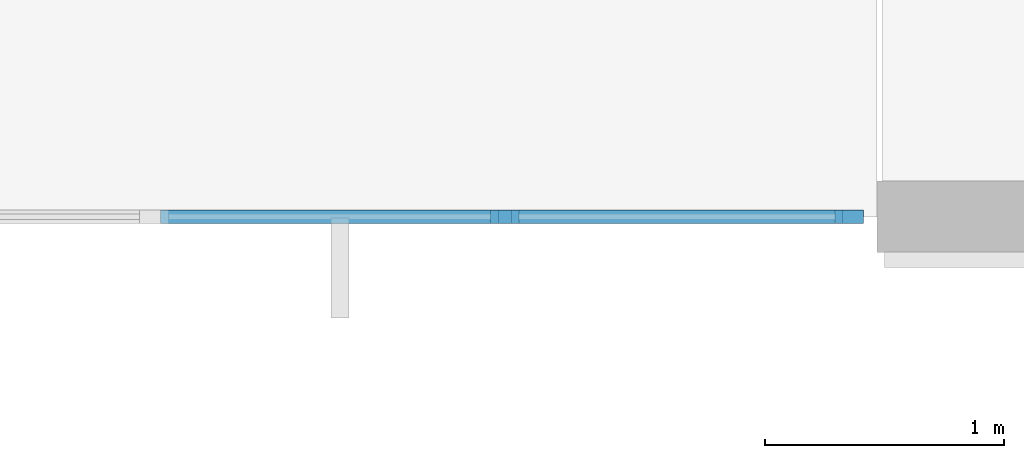
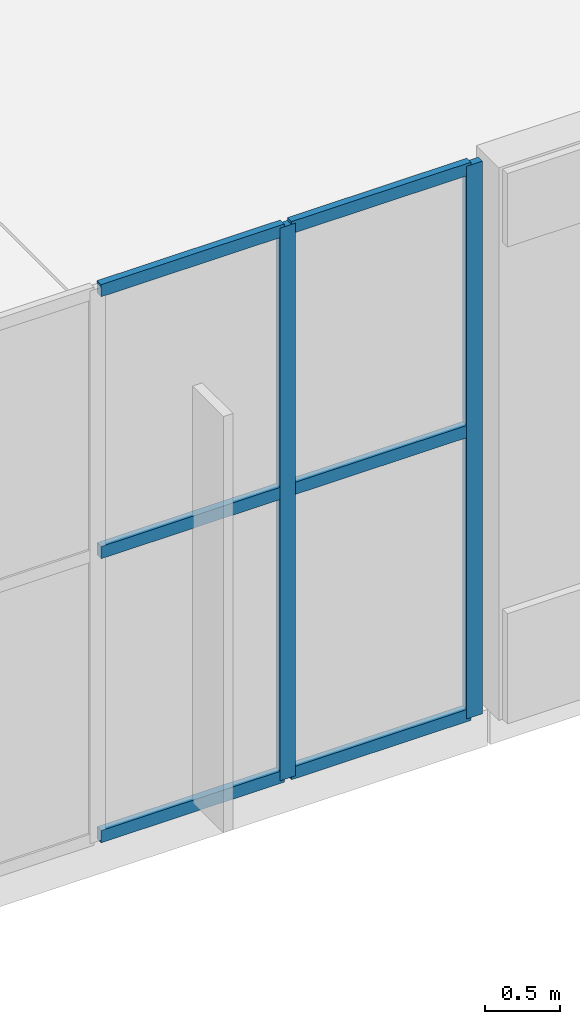
# One storey, part 30 of 96: 8 members, 1 element without a shape of its own.
"""IFC4 building model written with IfcOpenShell, lengths in metres."""

from ifc_helpers import new_model, si_unit, direction, frame, origin, origin_2d, place, context, subcontext, project, spatial, rectangle, extrude, material, layer, layer_set, material_profile, profile_set, type_object, element, aggregate, save


model = new_model("IFC4")

# Units and contexts
model_context = context("Model", 3, precision=1e-05, world=origin(), true_north=direction((0.0, 1.0)))
body_context = subcontext(model_context, "Body", "Model", "MODEL_VIEW")
ifc_project = project(units=[si_unit("LENGTHUNIT", "METRE"), si_unit("AREAUNIT", "SQUARE_METRE"), si_unit("VOLUMEUNIT", "CUBIC_METRE"), si_unit("PLANEANGLEUNIT", "RADIAN"), si_unit("MASSUNIT", "GRAM", prefix="KILO")], contexts=[model_context])

# Site, building, storey
site_placement = place(None, origin())
site = spatial("IfcSite", under=ifc_project, at=site_placement, CompositionType="ELEMENT")
building_placement = place(site_placement, origin())
building = spatial("IfcBuilding", under=site, at=building_placement, Name="Cendralis Terraced Arcade", CompositionType="ELEMENT")
storey_placement = place(building_placement, frame((0.0, 0.0, 10.199951171875)))
storey = spatial("IfcBuildingStorey", under=building, at=storey_placement, Name="L02", CompositionType="ELEMENT", Elevation=10.199951171875)

# Curtain wall, members
ifc_material = material(Name="Anodised aluminium EN AW-6063 T6", Category="aluminium")
ifc_layer = layer(ifc_material, 0.1201171875, Name="CW-STORE-B")
ifc_layer_set = layer_set([ifc_layer], Name="Anodised aluminium EN AW-6063 T6")
curtain_wall_type = type_object("IfcCurtainWallType", Name="CW-STORE-B", PredefinedType="USERDEFINED", material=ifc_layer_set)
curtain_wall_placement = place(storey_placement, origin())
curtain_wall = element("IfcCurtainWall", 1, at=curtain_wall_placement, inside=storey, type_object=curtain_wall_type, Name="Exterior Storefront Glazing CW-L02-0115", ObjectType="STOREFRONT GLAZING", PredefinedType="USERDEFINED")
ifc_material_profile_1 = material_profile(ifc_material, rectangle(XDim=0.054931640625, YDim=0.1201171875, at=origin_2d()), Name="ALU-MUL-55x120")
ifc_profile_set_1 = profile_set([ifc_material_profile_1], Name="Anodised aluminium EN AW-6063 T6")
member_type_1 = type_object("IfcMemberType", Name="CW-STORE-B-MUL", PredefinedType="MULLION", material=ifc_profile_set_1)
member_1_placement = place(storey_placement, frame((94.08251953125, 88.800048828125, 0.0), z_axis=(0.0, 0.0, 1.0), x_axis=(0.0, -1.0, 0.0)))
member_1 = element("IfcMember", 2, at=member_1_placement, type_object=member_type_1, Name="CW-S2 mullion 1", PredefinedType="MULLION", context=body_context, shape_type="SweptSolid", body=[
    extrude(rectangle(XDim=0.054931640625, YDim=0.1201171875, at=origin_2d()), origin(), (0.0, 0.0, 1.0), 4.51513671875),
])
member_2_placement = place(storey_placement, frame((92.639892578125, 88.800048828125, 0.0), z_axis=(0.0, 0.0, 1.0), x_axis=(0.0, -1.0, 0.0)))
member_2 = element("IfcMember", 3, at=member_2_placement, type_object=member_type_1, Name="CW-S2 mullion 2", PredefinedType="MULLION", context=body_context, shape_type="SweptSolid", body=[
    extrude(rectangle(XDim=0.054931640625, YDim=0.1201171875, at=origin_2d()), origin(), (0.0, 0.0, 1.0), 4.51513671875),
])
ifc_material_profile_2 = material_profile(ifc_material, rectangle(XDim=0.054931640625, YDim=0.10009765625, at=origin_2d()), Name="ALU-TRN-55x100")
ifc_profile_set_2 = profile_set([ifc_material_profile_2], Name="Anodised aluminium EN AW-6063 T6")
member_type_2 = type_object("IfcMemberType", Name="CW-STORE-B-TRN", PredefinedType="USERDEFINED", material=ifc_profile_set_2)
member_3_placement = place(storey_placement, frame((94.054931640625, 88.800048828125, 0.027587890625), z_axis=(-1.0, 0.0, 0.0), x_axis=(0.0, -1.0, 0.0)))
member_3 = element("IfcMember", 4, at=member_3_placement, type_object=member_type_2, Name="CW-S2 transom 1.1", ObjectType="TRANSOM", PredefinedType="USERDEFINED", context=body_context, shape_type="SweptSolid", body=[
    extrude(rectangle(XDim=0.054931640625, YDim=0.10009765625, at=origin_2d()), origin(), (0.0, 0.0, 1.0), 1.387451171875),
])
member_4_placement = place(storey_placement, frame((94.054931640625, 88.800048828125, 2.347900390625), z_axis=(-1.0, 0.0, 0.0), x_axis=(0.0, -1.0, 0.0)))
member_4 = element("IfcMember", 5, at=member_4_placement, type_object=member_type_2, Name="CW-S2 transom 1.2", ObjectType="TRANSOM", PredefinedType="USERDEFINED", context=body_context, shape_type="SweptSolid", body=[
    extrude(rectangle(XDim=0.054931640625, YDim=0.10009765625, at=origin_2d()), origin(), (0.0, 0.0, 1.0), 1.387451171875),
])
member_5_placement = place(storey_placement, frame((94.054931640625, 88.800048828125, 4.487548828125), z_axis=(-1.0, 0.0, 0.0), x_axis=(0.0, -1.0, 0.0)))
member_5 = element("IfcMember", 6, at=member_5_placement, type_object=member_type_2, Name="CW-S2 transom 1.3", ObjectType="TRANSOM", PredefinedType="USERDEFINED", context=body_context, shape_type="SweptSolid", body=[
    extrude(rectangle(XDim=0.054931640625, YDim=0.10009765625, at=origin_2d()), origin(), (0.0, 0.0, 1.0), 1.387451171875),
])
member_6_placement = place(storey_placement, frame((92.612548828125, 88.800048828125, 0.027587890625), z_axis=(-1.0, 0.0, 0.0), x_axis=(0.0, -1.0, 0.0)))
member_6 = element("IfcMember", 7, at=member_6_placement, type_object=member_type_2, Name="CW-S2 transom 2.1", ObjectType="TRANSOM", PredefinedType="USERDEFINED", context=body_context, shape_type="SweptSolid", body=[
    extrude(rectangle(XDim=0.054931640625, YDim=0.10009765625, at=origin_2d()), origin(), (0.0, 0.0, 1.0), 1.4150390625),
])
member_7_placement = place(storey_placement, frame((92.612548828125, 88.800048828125, 2.347900390625), z_axis=(-1.0, 0.0, 0.0), x_axis=(0.0, -1.0, 0.0)))
member_7 = element("IfcMember", 8, at=member_7_placement, type_object=member_type_2, Name="CW-S2 transom 2.2", ObjectType="TRANSOM", PredefinedType="USERDEFINED", context=body_context, shape_type="SweptSolid", body=[
    extrude(rectangle(XDim=0.054931640625, YDim=0.10009765625, at=origin_2d()), origin(), (0.0, 0.0, 1.0), 1.4150390625),
])
member_8_placement = place(storey_placement, frame((92.612548828125, 88.800048828125, 4.487548828125), z_axis=(-1.0, 0.0, 0.0), x_axis=(0.0, -1.0, 0.0)))
member_8 = element("IfcMember", 9, at=member_8_placement, type_object=member_type_2, Name="CW-S2 transom 2.3", ObjectType="TRANSOM", PredefinedType="USERDEFINED", context=body_context, shape_type="SweptSolid", body=[
    extrude(rectangle(XDim=0.054931640625, YDim=0.10009765625, at=origin_2d()), origin(), (0.0, 0.0, 1.0), 1.4150390625),
])
aggregate(curtain_wall, [member_1, member_2, member_3, member_4, member_5, member_6, member_7, member_8])

save(model, "model.ifc")
